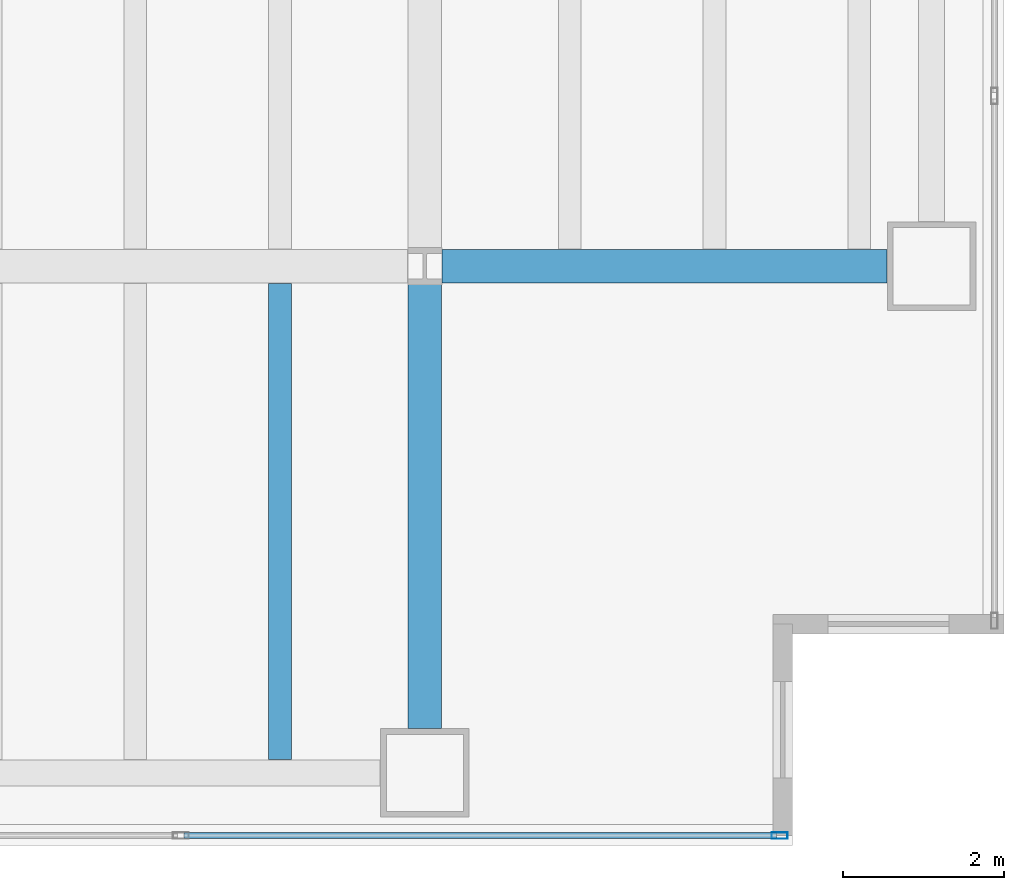
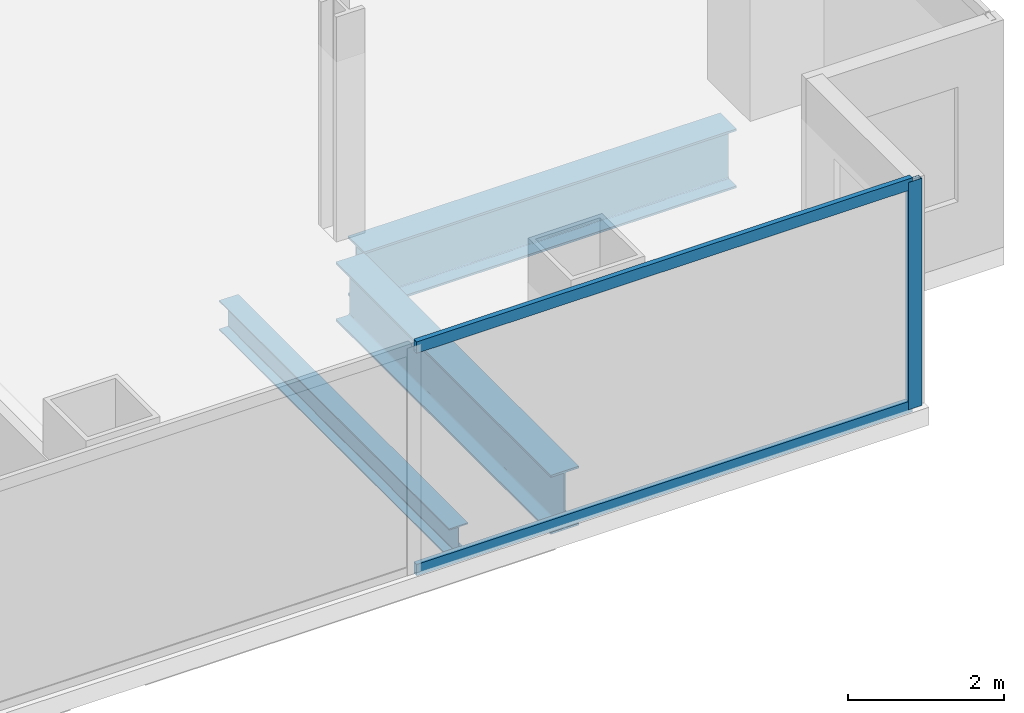
# One storey, part 8 of 25: 3 beams, 3 members, 1 element without a shape of its own.
"""IFC4 building model written with IfcOpenShell, lengths in metres."""

from ifc_helpers import new_model, si_unit, direction, frame, origin, origin_2d, place, context, subcontext, project, spatial, hollow_rectangle, i_section, extrude, material, material_profile, profile_set, type_object, element, aggregate, save


model = new_model("IFC4")

# Units and contexts
model_context = context("Model", 3, precision=1e-05, world=origin(), true_north=direction((0.0, 1.0)))
body_context = subcontext(model_context, "Body", "Model", "MODEL_VIEW")
ifc_project = project(units=[si_unit("LENGTHUNIT", "METRE"), si_unit("AREAUNIT", "SQUARE_METRE"), si_unit("VOLUMEUNIT", "CUBIC_METRE"), si_unit("PLANEANGLEUNIT", "RADIAN"), si_unit("MASSUNIT", "GRAM", prefix="KILO")], contexts=[model_context])

# Site, building, storey
site_placement = place(None, origin())
site = spatial("IfcSite", under=ifc_project, at=site_placement, CompositionType="ELEMENT")
building_placement = place(site_placement, origin())
building = spatial("IfcBuilding", under=site, at=building_placement, Name="Cobrela Telecom Tower", CompositionType="ELEMENT")
storey_placement = place(building_placement, frame((0.0, 0.0, 42.699951171875)))
storey = spatial("IfcBuildingStorey", under=building, at=storey_placement, Name="L10", CompositionType="ELEMENT", Elevation=42.699951171875)

# Beams
ifc_material_1 = material(Name="Steel ASTM A992 Grade 50", Category="steel")
ifc_material_profile_1 = material_profile(ifc_material_1, i_section(OverallWidth=0.4189453125, OverallDepth=0.927001953125, WebThickness=0.019287109375, FlangeThickness=0.031982421875, FilletRadius=0.02392578125, at=origin_2d()), Name="W36X231")
ifc_profile_set_1 = profile_set([ifc_material_profile_1], Name="Steel ASTM A992 Grade 50")
beam_type_1 = type_object("IfcBeamType", Name="BM-GIRD-02", PredefinedType="USERDEFINED", material=ifc_profile_set_1)
beam_1_placement = place(storey_placement, frame((43.416015625, 7.199951171875, -0.743408203125), z_axis=(1.0, 0.0, 0.0), x_axis=(0.0, 1.0, 0.0)))
element("IfcBeam", 1, at=beam_1_placement, inside=storey, type_object=beam_type_1, Name="L10 Primary Girder X12", ObjectType="GIRDER", PredefinedType="USERDEFINED", context=body_context, shape_type="SweptSolid", body=[
    extrude(i_section(OverallWidth=0.4189453125, OverallDepth=0.927001953125, WebThickness=0.019287109375, FlangeThickness=0.031982421875, FilletRadius=0.02392578125, at=origin_2d()), origin(), (0.0, 0.0, 1.0), 5.529052734375),
])
beam_2_placement = place(storey_placement, frame((43.199951171875, 1.455078125, -0.743408203125), z_axis=(0.0, 1.0, 0.0), x_axis=(-1.0, 0.0, 0.0)))
element("IfcBeam", 2, at=beam_2_placement, inside=storey, type_object=beam_type_1, Name="L10 Primary Girder Y53", ObjectType="GIRDER", PredefinedType="USERDEFINED", context=body_context, shape_type="SweptSolid", body=[
    extrude(i_section(OverallWidth=0.4189453125, OverallDepth=0.927001953125, WebThickness=0.019287109375, FlangeThickness=0.031982421875, FilletRadius=0.02392578125, at=origin_2d()), origin(), (0.0, 0.0, 1.0), 5.52880859375),
])
ifc_material_profile_2 = material_profile(ifc_material_1, i_section(OverallWidth=0.281982421875, OverallDepth=0.467041015625, WebThickness=0.01220703125, FlangeThickness=0.01953125, FilletRadius=0.012939453125, at=origin_2d()), Name="W18X86")
ifc_profile_set_2 = profile_set([ifc_material_profile_2], Name="Steel ASTM A992 Grade 50")
beam_type_2 = type_object("IfcBeamType", Name="BM-JOIST-02", PredefinedType="JOIST", material=ifc_profile_set_2)
beam_3_placement = place(storey_placement, frame((41.39990234375, 1.0673828125, -0.513427734375), z_axis=(0.0, 1.0, 0.0), x_axis=(-1.0, 0.0, 0.0)))
element("IfcBeam", 3, at=beam_3_placement, inside=storey, type_object=beam_type_2, Name="L10 Secondary Composite Floor Beam J56", PredefinedType="JOIST", context=body_context, shape_type="SweptSolid", body=[
    extrude(i_section(OverallWidth=0.281982421875, OverallDepth=0.467041015625, WebThickness=0.01220703125, FlangeThickness=0.01953125, FilletRadius=0.012939453125, at=origin_2d()), origin(), (0.0, 0.0, 1.0), 5.918212890625),
])

# Curtain wall, members
ifc_material_2 = material(Name="Anodized Bronze Aluminium 6063-T6", Category="aluminium")
curtain_wall_type = type_object("IfcCurtainWallType", Name="CW-SYS-DATA", PredefinedType="USERDEFINED", material=ifc_material_2)
curtain_wall_placement = place(storey_placement, origin())
curtain_wall = element("IfcCurtainWall", 4, at=curtain_wall_placement, inside=storey, type_object=curtain_wall_type, Name="L10 Unitised Bronze Curtain Wall 17", ObjectType="UNITISED CURTAIN WALL", PredefinedType="USERDEFINED")
ifc_material_profile_3 = material_profile(ifc_material_2, hollow_rectangle(XDim=0.080078125, YDim=0.199951171875, WallThickness=0.00390625, at=origin_2d()), Name="ALU 80x200x4")
ifc_profile_set_3 = profile_set([ifc_material_profile_3], Name="Anodized Bronze Aluminium 6063-T6")
member_type_1 = type_object("IfcMemberType", Name="CW-SYS-DATA-MUL", PredefinedType="MULLION", material=ifc_profile_set_3)
member_1_placement = place(storey_placement, frame((47.610107421875, 0.1201171875, 0.0), z_axis=(0.0, 0.0, 1.0), x_axis=(0.0, -1.0, 0.0)))
member_1 = element("IfcMember", 5, at=member_1_placement, type_object=member_type_1, Name="CW-DATA mullion 1", PredefinedType="MULLION", context=body_context, shape_type="SweptSolid", body=[
    extrude(hollow_rectangle(XDim=0.080078125, YDim=0.199951171875, WallThickness=0.00390625, at=origin_2d()), origin(), (0.0, 0.0, 1.0), 3.570068359375),
])
ifc_material_profile_4 = material_profile(ifc_material_2, hollow_rectangle(XDim=0.074951171875, YDim=0.179931640625, WallThickness=0.00390625, at=origin_2d()), Name="ALU 75x180x4")
ifc_profile_set_4 = profile_set([ifc_material_profile_4], Name="Anodized Bronze Aluminium 6063-T6")
member_type_2 = type_object("IfcMemberType", Name="CW-SYS-DATA-TRN", PredefinedType="USERDEFINED", material=ifc_profile_set_4)
member_2_placement = place(storey_placement, frame((47.570068359375, 0.1201171875, 0.03759765625), z_axis=(-1.0, 0.0, 0.0), x_axis=(0.0, -1.0, 0.0)))
member_2 = element("IfcMember", 6, at=member_2_placement, type_object=member_type_2, Name="CW-DATA transom 1.1", ObjectType="TRANSOM", PredefinedType="USERDEFINED", context=body_context, shape_type="SweptSolid", body=[
    extrude(hollow_rectangle(XDim=0.074951171875, YDim=0.179931640625, WallThickness=0.00390625, at=origin_2d()), origin(), (0.0, 0.0, 1.0), 7.36328125),
])
member_3_placement = place(storey_placement, frame((47.570068359375, 0.1201171875, 3.532470703125), z_axis=(-1.0, 0.0, 0.0), x_axis=(0.0, -1.0, 0.0)))
member_3 = element("IfcMember", 7, at=member_3_placement, type_object=member_type_2, Name="CW-DATA transom 1.2", ObjectType="TRANSOM", PredefinedType="USERDEFINED", context=body_context, shape_type="SweptSolid", body=[
    extrude(hollow_rectangle(XDim=0.074951171875, YDim=0.179931640625, WallThickness=0.00390625, at=origin_2d()), origin(), (0.0, 0.0, 1.0), 7.36328125),
])
aggregate(curtain_wall, [member_1, member_2, member_3])

save(model, "model.ifc")
